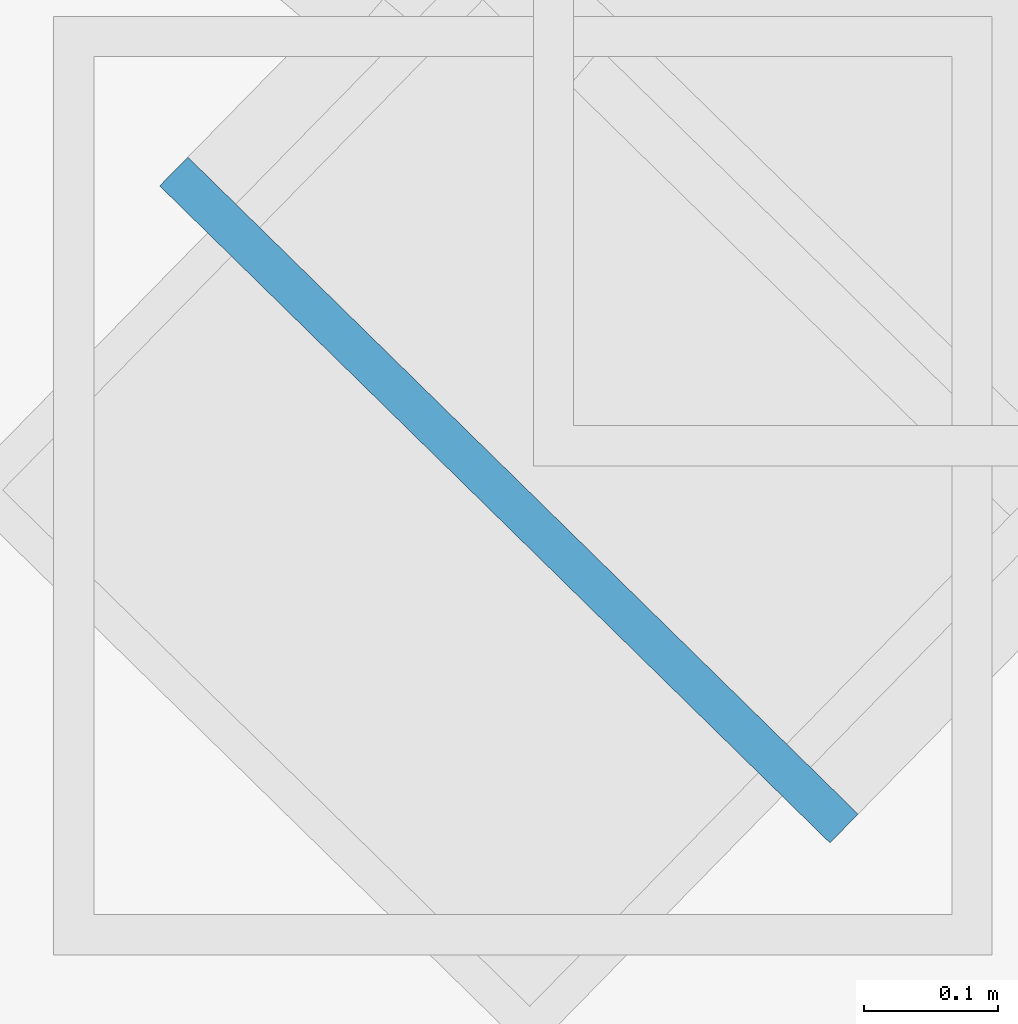
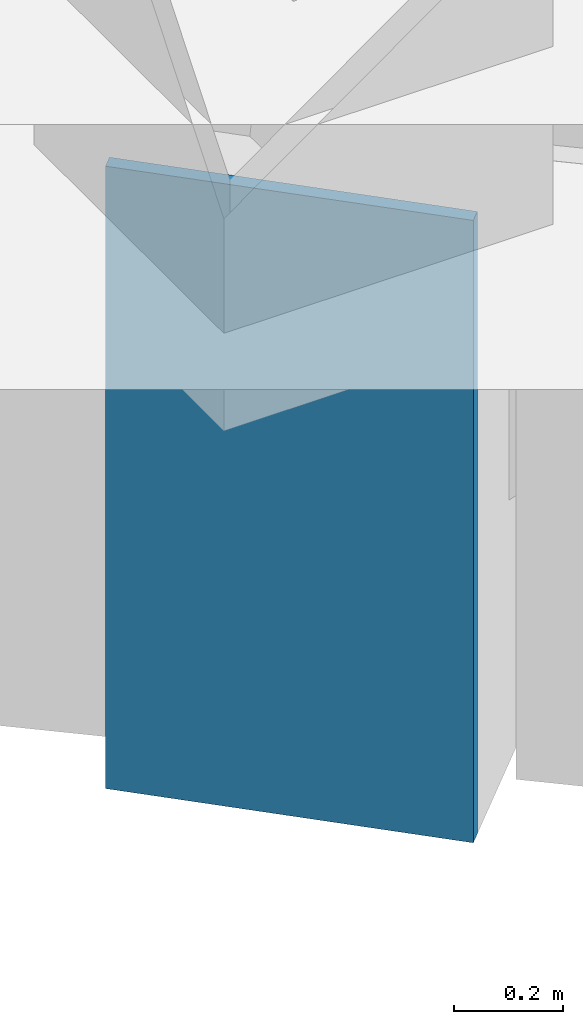
# One storey, part 14 of 26: 1 discrete accessory.
"""IFC4 building model written with IfcOpenShell, lengths in metres."""

from ifc_helpers import new_model, si_unit, direction, frame, origin, origin_2d, place, context, subcontext, project, spatial, rectangle, extrude, material, type_object, element, save


model = new_model("IFC4")

# Units and contexts
model_context = context("Model", 3, precision=1e-05, world=origin(), true_north=direction((0.0, 1.0)))
body_context = subcontext(model_context, "Body", "Model", "MODEL_VIEW")
ifc_project = project(units=[si_unit("LENGTHUNIT", "METRE"), si_unit("AREAUNIT", "SQUARE_METRE"), si_unit("VOLUMEUNIT", "CUBIC_METRE"), si_unit("PLANEANGLEUNIT", "RADIAN"), si_unit("MASSUNIT", "GRAM", prefix="KILO")], contexts=[model_context])

# Site, building, storey
site_placement = place(None, origin())
site = spatial("IfcSite", under=ifc_project, at=site_placement, CompositionType="ELEMENT")
building_placement = place(site_placement, origin())
building = spatial("IfcBuilding", under=site, at=building_placement, Name="Tuul Gate Civic Tower", CompositionType="ELEMENT")
storey_placement = place(building_placement, frame((0.0, 0.0, 167.60009765625)))
storey = spatial("IfcBuildingStorey", under=building, at=storey_placement, Name="Plant and refuge floor 5", CompositionType="ELEMENT", Elevation=167.60009765625)

# Discrete accessory
ifc_material = material(Name="Steel S355", Category="steel")
discrete_accessory_type = type_object("IfcDiscreteAccessoryType", Name="End cap plate", PredefinedType="BRACKET", material=ifc_material)
discrete_accessory_placement = place(storey_placement, frame((-51.008544921875, -16.894775390625, -1.800048828125), z_axis=(0.0, 0.0, 1.0), x_axis=(-0.700000236809, -0.714142610735, 0.0)))
element("IfcDiscreteAccessory", 1, at=discrete_accessory_placement, inside=storey, type_object=discrete_accessory_type, Name="End cap plate", PredefinedType="BRACKET", context=body_context, shape_type="SweptSolid", body=[
    extrude(rectangle(XDim=0.030029296875, YDim=0.699951171875, at=origin_2d()), origin(), (0.0, 0.0, 1.0), 1.39990234375),
])

save(model, "model.ifc")
